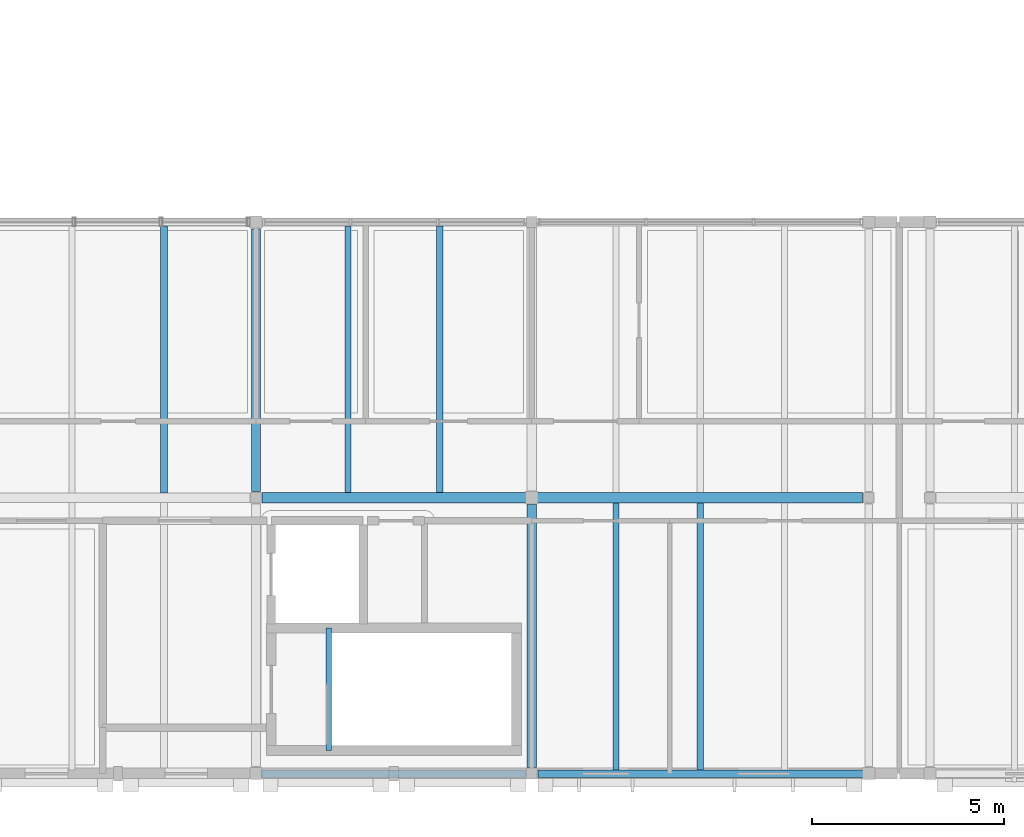
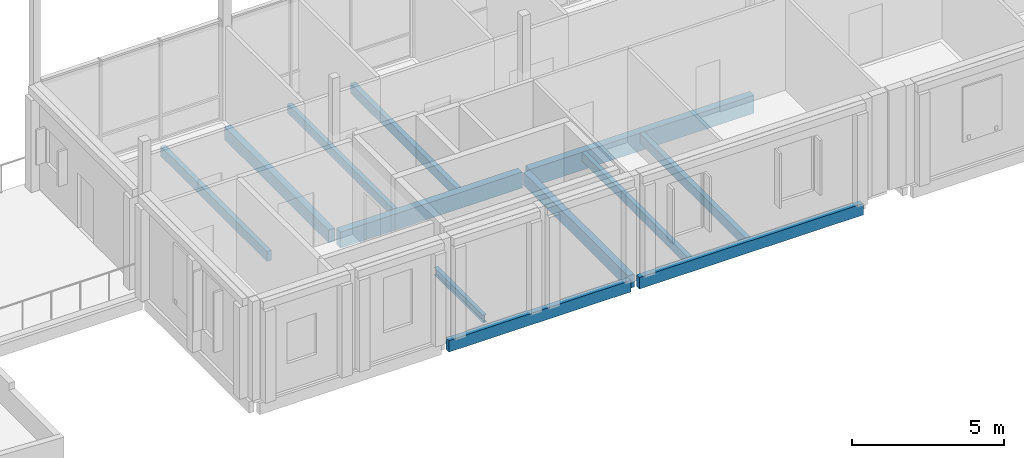
# One storey, part 8 of 57: 12 beams.
"""IFC4 building model written with IfcOpenShell, lengths in metres."""

from ifc_helpers import new_model, si_unit, direction, frame, origin, origin_2d, place, context, subcontext, project, spatial, rectangle, i_section, extrude, material, material_profile, profile_set, type_object, element, save


model = new_model("IFC4")

# Units and contexts
model_context = context("Model", 3, precision=1e-05, world=origin(), true_north=direction((0.0, 1.0)))
body_context = subcontext(model_context, "Body", "Model", "MODEL_VIEW")
ifc_project = project(units=[si_unit("LENGTHUNIT", "METRE"), si_unit("AREAUNIT", "SQUARE_METRE"), si_unit("VOLUMEUNIT", "CUBIC_METRE"), si_unit("PLANEANGLEUNIT", "RADIAN"), si_unit("MASSUNIT", "GRAM", prefix="KILO")], contexts=[model_context])

# Site, building, storey
site_placement = place(None, origin())
site = spatial("IfcSite", under=ifc_project, at=site_placement, CompositionType="ELEMENT")
building_placement = place(site_placement, origin())
building = spatial("IfcBuilding", under=site, at=building_placement, Name="Hawrajan Terrace Health Centre", CompositionType="ELEMENT")
storey_placement = place(building_placement, frame((0.0, 0.0, 13.199951171875)))
storey = spatial("IfcBuildingStorey", under=building, at=storey_placement, Name="L03", CompositionType="ELEMENT", Elevation=13.199951171875)

# Beams
ifc_material_1 = material(Name="Glulam GL32h", Category="wood")
ifc_material_profile_1 = material_profile(ifc_material_1, rectangle(XDim=0.239990234375, YDim=0.52001953125, at=origin_2d()), Name="GL BM 240x520")
ifc_profile_set_1 = profile_set([ifc_material_profile_1], Name="Glulam GL32h")
beam_type_1 = type_object("IfcBeamType", Name="GlulamGirder_240x520", PredefinedType="BEAM", material=ifc_profile_set_1)
for number, where, z_axis, x_axis, name in (
    (1, (55.0, 11.56005859375, -0.469970703125), (0.0, 1.0, 0.0), (-1.0, 0.0, 0.0), "Beam BM-Y-L03-W-X08-2"),
    (2, (62.199951171875, 4.360107421875, -0.469970703125), (0.0, 1.0, 0.0), (-1.0, 0.0, 0.0), "Beam BM-Y-L03-W-X09-1"),
):
    element("IfcBeam", number, at=place(storey_placement, frame(where, z_axis=z_axis, x_axis=x_axis)), inside=storey, type_object=beam_type_1, Name=name, PredefinedType="BEAM", context=body_context, shape_type="SweptSolid", body=[
        extrude(rectangle(XDim=0.239990234375, YDim=0.52001953125, at=origin_2d()), origin(), (0.0, 0.0, 1.0), 6.85986328125),
    ])
ifc_material_profile_2 = material_profile(ifc_material_1, rectangle(XDim=0.280029296875, YDim=0.639892578125, at=origin_2d()), Name="GL BM 280x640")
ifc_profile_set_2 = profile_set([ifc_material_profile_2], Name="Glulam GL32h")
beam_type_2 = type_object("IfcBeamType", Name="GlulamGirder_280x640", PredefinedType="BEAM", material=ifc_profile_set_2)
beam_1_placement = place(storey_placement, frame((55.159912109375, 11.39990234375, -0.530029296875), z_axis=(1.0, 0.0, 0.0), x_axis=(0.0, 1.0, 0.0)))
element("IfcBeam", 3, at=beam_1_placement, inside=storey, type_object=beam_type_2, Name="Beam BM-X-L03-W-08-Y2", PredefinedType="BEAM", context=body_context, shape_type="SweptSolid", body=[
    extrude(rectangle(XDim=0.280029296875, YDim=0.639892578125, at=origin_2d()), origin(), (0.0, 0.0, 1.0), 6.900146484375),
])
ifc_material_profile_3 = material_profile(ifc_material_1, rectangle(XDim=0.280029296875, YDim=0.719970703125, at=origin_2d()), Name="GL BM 280x720")
ifc_profile_set_3 = profile_set([ifc_material_profile_3], Name="Glulam GL32h")
beam_type_3 = type_object("IfcBeamType", Name="GlulamGirder_280x720", PredefinedType="BEAM", material=ifc_profile_set_3)
beam_2_placement = place(storey_placement, frame((62.340087890625, 11.39990234375, -0.570068359375), z_axis=(1.0, 0.0, 0.0), x_axis=(0.0, 1.0, 0.0)))
element("IfcBeam", 4, at=beam_2_placement, inside=storey, type_object=beam_type_3, Name="Beam BM-X-L03-W-09-Y2", PredefinedType="BEAM", context=body_context, shape_type="SweptSolid", body=[
    extrude(rectangle(XDim=0.280029296875, YDim=0.719970703125, at=origin_2d()), origin(), (0.0, 0.0, 1.0), 8.5),
])
ifc_material_2 = material(Name="Glulam GL28h", Category="wood")
ifc_material_profile_4 = material_profile(ifc_material_2, rectangle(XDim=0.159912109375, YDim=0.360107421875, at=origin_2d()), Name="GL JST 160x360")
ifc_profile_set_4 = profile_set([ifc_material_profile_4], Name="Glulam GL28h")
beam_type_4 = type_object("IfcBeamType", Name="GlulamJoist_160x360", PredefinedType="JOIST", material=ifc_profile_set_4)
for number, where, z_axis, x_axis, name in (
    (5, (57.39990234375, 11.5400390625, -0.389892578125), (0.0, 1.0, 0.0), (-1.0, 0.0, 0.0), "Secondary joist JST-L03-W-08-2-1"),
    (6, (64.39990234375, 4.300048828125, -0.389892578125), (0.0, 1.0, 0.0), (-1.0, 0.0, 0.0), "Secondary joist JST-L03-W-09-1-1"),
):
    element("IfcBeam", number, at=place(storey_placement, frame(where, z_axis=z_axis, x_axis=x_axis)), inside=storey, type_object=beam_type_4, Name=name, PredefinedType="JOIST", context=body_context, shape_type="SweptSolid", body=[
        extrude(rectangle(XDim=0.159912109375, YDim=0.360107421875, at=origin_2d()), origin(), (0.0, 0.0, 1.0), 6.9599609375),
    ])
ifc_material_profile_5 = material_profile(ifc_material_2, rectangle(XDim=0.179931640625, YDim=0.39990234375, at=origin_2d()), Name="GL JST 180x400")
ifc_profile_set_5 = profile_set([ifc_material_profile_5], Name="Glulam GL28h")
beam_type_5 = type_object("IfcBeamType", Name="GlulamJoist_180x400", PredefinedType="JOIST", material=ifc_profile_set_5)
beam_3_placement = place(storey_placement, frame((52.60009765625, 11.52001953125, -0.419921875), z_axis=(0.0, 1.0, 0.0), x_axis=(-1.0, 0.0, 0.0)))
element("IfcBeam", 7, at=beam_3_placement, inside=storey, type_object=beam_type_5, Name="Secondary joist JST-L03-W-07-2-2", PredefinedType="JOIST", context=body_context, shape_type="SweptSolid", body=[
    extrude(rectangle(XDim=0.179931640625, YDim=0.39990234375, at=origin_2d()), origin(), (0.0, 0.0, 1.0), 6.97998046875),
])
for number, where, z_axis, x_axis, name in (
    (8, (59.800048828125, 11.5400390625, -0.409912109375), (0.0, 1.0, 0.0), (-1.0, 0.0, 0.0), "Secondary joist JST-L03-W-08-2-2"),
    (9, (66.60009765625, 4.300048828125, -0.409912109375), (0.0, 1.0, 0.0), (-1.0, 0.0, 0.0), "Secondary joist JST-L03-W-09-1-2"),
):
    element("IfcBeam", number, at=place(storey_placement, frame(where, z_axis=z_axis, x_axis=x_axis)), inside=storey, type_object=beam_type_5, Name=name, PredefinedType="JOIST", context=body_context, shape_type="SweptSolid", body=[
        extrude(rectangle(XDim=0.179931640625, YDim=0.39990234375, at=origin_2d()), origin(), (0.0, 0.0, 1.0), 6.9599609375),
    ])
ifc_material_profile_6 = material_profile(ifc_material_1, rectangle(XDim=0.199951171875, YDim=0.4599609375, at=origin_2d()), Name="GL SP 200x460")
ifc_profile_set_6 = profile_set([ifc_material_profile_6], Name="Glulam GL32h")
beam_type_6 = type_object("IfcBeamType", Name="GlulamSpandrel_200x460", PredefinedType="SPANDREL", material=ifc_profile_set_6)
beam_4_placement = place(storey_placement, frame((55.139892578125, 4.199951171875, -0.43994140625), z_axis=(1.0, 0.0, 0.0), x_axis=(0.0, 1.0, 0.0)))
element("IfcBeam", 10, at=beam_4_placement, inside=storey, type_object=beam_type_6, Name="Beam BM-X-L03-W-08-Y1", PredefinedType="SPANDREL", context=body_context, shape_type="SweptSolid", body=[
    extrude(rectangle(XDim=0.199951171875, YDim=0.4599609375, at=origin_2d()), origin(), (0.0, 0.0, 1.0), 6.900146484375),
])
beam_5_placement = place(storey_placement, frame((62.360107421875, 4.199951171875, -0.43994140625), z_axis=(1.0, 0.0, 0.0), x_axis=(0.0, 1.0, 0.0)))
element("IfcBeam", 11, at=beam_5_placement, inside=storey, type_object=beam_type_6, Name="Beam BM-X-L03-W-09-Y1", PredefinedType="SPANDREL", context=body_context, shape_type="SweptSolid", body=[
    extrude(rectangle(XDim=0.199951171875, YDim=0.4599609375, at=origin_2d()), origin(), (0.0, 0.0, 1.0), 8.5),
])
ifc_material_3 = material(Name="Steel S355", Category="steel")
ifc_material_profile_7 = material_profile(ifc_material_3, i_section(OverallWidth=0.14990234375, OverallDepth=0.300048828125, WebThickness=0.007080078125, FlangeThickness=0.0107421875, FilletRadius=0.014892578125, at=origin_2d()), Name="IPE 300")
ifc_profile_set_7 = profile_set([ifc_material_profile_7], Name="Steel S355")
beam_type_7 = type_object("IfcBeamType", Name="SteelBeam_IPE300", PredefinedType="JOIST", material=ifc_profile_set_7)
beam_6_placement = place(storey_placement, frame((56.89990234375, 4.800048828125, -0.369873046875), z_axis=(0.0, 1.0, 0.0), x_axis=(-1.0, 0.0, 0.0)))
element("IfcBeam", 12, at=beam_6_placement, inside=storey, type_object=beam_type_7, Name="Stair top trimmer ST-4", PredefinedType="JOIST", context=body_context, shape_type="SweptSolid", body=[
    extrude(i_section(OverallWidth=0.14990234375, OverallDepth=0.300048828125, WebThickness=0.007080078125, FlangeThickness=0.0107421875, FilletRadius=0.014892578125, at=origin_2d()), origin(), (0.0, 0.0, 1.0), 3.199951171875),
])

save(model, "model.ifc")
